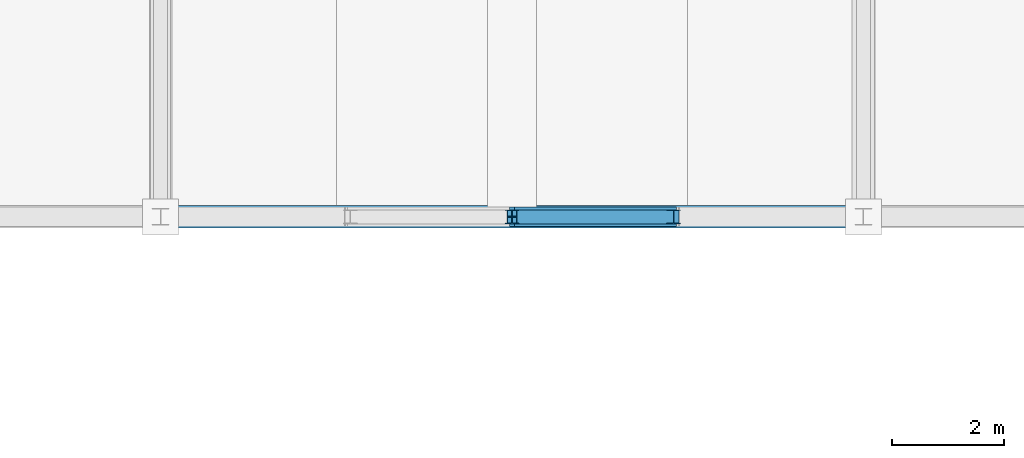
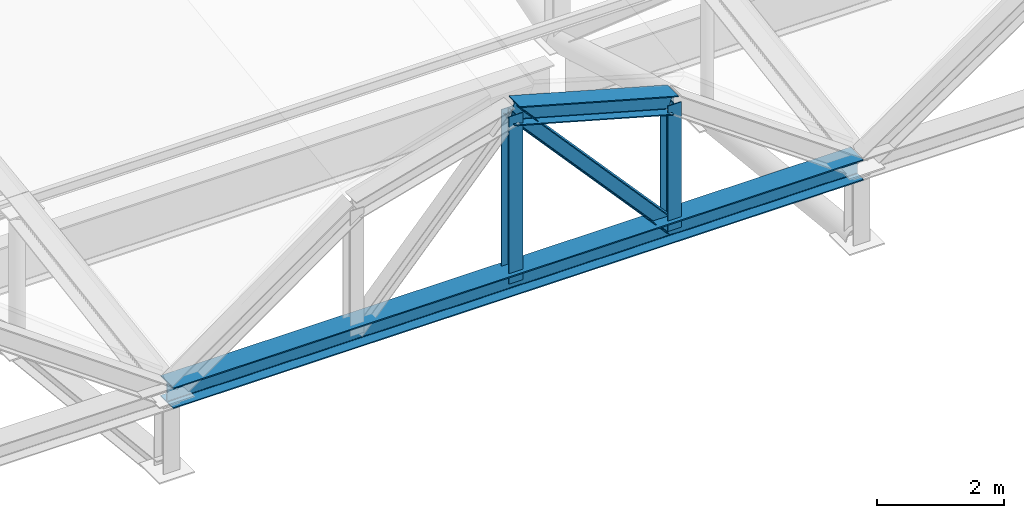
# One storey, part 45 of 117: 5 members.
"""IFC4 building model written with IfcOpenShell, lengths in metres."""

from ifc_helpers import new_model, si_unit, direction, frame, origin, origin_2d, place, context, subcontext, project, spatial, i_section, extrude, material, material_profile, profile_set, type_object, element, save


model = new_model("IFC4")

# Units and contexts
model_context = context("Model", 3, precision=1e-05, world=origin(), true_north=direction((0.0, 1.0)))
body_context = subcontext(model_context, "Body", "Model", "MODEL_VIEW")
ifc_project = project(units=[si_unit("LENGTHUNIT", "METRE"), si_unit("AREAUNIT", "SQUARE_METRE"), si_unit("VOLUMEUNIT", "CUBIC_METRE"), si_unit("PLANEANGLEUNIT", "RADIAN"), si_unit("MASSUNIT", "GRAM", prefix="KILO")], contexts=[model_context])

# Site, building, storey
site_placement = place(None, origin())
site = spatial("IfcSite", under=ifc_project, at=site_placement, CompositionType="ELEMENT")
building_placement = place(site_placement, origin())
building = spatial("IfcBuilding", under=site, at=building_placement, Name="Kazenohara Klinker Stadium", CompositionType="ELEMENT")
storey_placement = place(building_placement, frame((0.0, 0.0, 31.199951171875)))
storey = spatial("IfcBuildingStorey", under=building, at=storey_placement, Name="RF", CompositionType="ELEMENT", Elevation=31.199951171875)

# Members
ifc_material = material(Name="Steel S355", Category="steel")
ifc_material_profile_1 = material_profile(ifc_material, i_section(OverallWidth=0.39990234375, OverallDepth=0.39990234375, WebThickness=0.012939453125, FlangeThickness=0.02099609375, FilletRadius=0.02197265625, at=origin_2d()), Name="H-400x400x13x21")
ifc_profile_set_1 = profile_set([ifc_material_profile_1], Name="Steel S355")
member_type_1 = type_object("IfcMemberType", Name="MEM-CHD01", PredefinedType="CHORD", material=ifc_profile_set_1)
member_1_placement = place(storey_placement, frame((86.5, 122.60009765625, 3.300048828125), z_axis=(1.0, 0.0, 0.0), x_axis=(0.0, 1.0, 0.0)))
element("IfcMember", 1, at=member_1_placement, inside=storey, type_object=member_type_1, Name="Inner tension ring chord TC01 segment 11", PredefinedType="CHORD", context=body_context, shape_type="SweptSolid", body=[
    extrude(i_section(OverallWidth=0.39990234375, OverallDepth=0.39990234375, WebThickness=0.012939453125, FlangeThickness=0.02099609375, FilletRadius=0.02197265625, at=origin_2d()), origin(), (0.0, 0.0, 1.0), 12.5),
])
ifc_material_profile_2 = material_profile(ifc_material, i_section(OverallWidth=0.35009765625, OverallDepth=0.35009765625, WebThickness=0.011962890625, FlangeThickness=0.01904296875, FilletRadius=0.012939453125, at=origin_2d()), Name="H-350x350x12x19")
ifc_profile_set_2 = profile_set([ifc_material_profile_2], Name="Steel S355")
member_type_2 = type_object("IfcMemberType", Name="MEM-CHD02", PredefinedType="CHORD", material=ifc_profile_set_2)
member_2_placement = place(storey_placement, frame((92.75, 122.60009765625, 6.5), z_axis=(0.963393567269, 0.0, -0.268091093745), x_axis=(0.0, 1.0, 0.0)))
element("IfcMember", 2, at=member_2_placement, inside=storey, type_object=member_type_2, Name="Barrel arch top rib TC02 N-03-N5-S3", PredefinedType="CHORD", context=body_context, shape_type="SweptSolid", body=[
    extrude(i_section(OverallWidth=0.35009765625, OverallDepth=0.35009765625, WebThickness=0.011962890625, FlangeThickness=0.01904296875, FilletRadius=0.012939453125, at=origin_2d()), origin(), (0.0, 0.0, 1.0), 2.984130859375),
])
ifc_material_profile_3 = material_profile(ifc_material, i_section(OverallWidth=0.25, OverallDepth=0.25, WebThickness=0.009033203125, FlangeThickness=0.013916015625, FilletRadius=0.012939453125, at=origin_2d()), Name="H-250x250x9x14")
ifc_profile_set_3 = profile_set([ifc_material_profile_3], Name="Steel S355")
member_type_3 = type_object("IfcMemberType", Name="MEM-STR02", PredefinedType="STRUT", material=ifc_profile_set_3)
member_3_placement = place(storey_placement, frame((92.75, 122.60009765625, 3.300048828125), z_axis=(0.0, 0.0, 1.0), x_axis=(1.0, 0.0, 0.0)))
element("IfcMember", 3, at=member_3_placement, inside=storey, type_object=member_type_3, Name="Barrel arch web post TS02 N-03-N5-P2", PredefinedType="STRUT", context=body_context, shape_type="SweptSolid", body=[
    extrude(i_section(OverallWidth=0.25, OverallDepth=0.25, WebThickness=0.009033203125, FlangeThickness=0.013916015625, FilletRadius=0.012939453125, at=origin_2d()), origin(), (0.0, 0.0, 1.0), 3.199951171875),
])
member_4_placement = place(storey_placement, frame((95.625, 122.60009765625, 3.300048828125), z_axis=(0.0, 0.0, 1.0), x_axis=(1.0, 0.0, 0.0)))
element("IfcMember", 4, at=member_4_placement, inside=storey, type_object=member_type_3, Name="Barrel arch web post TS02 N-03-N5-P3", PredefinedType="STRUT", context=body_context, shape_type="SweptSolid", body=[
    extrude(i_section(OverallWidth=0.25, OverallDepth=0.25, WebThickness=0.009033203125, FlangeThickness=0.013916015625, FilletRadius=0.012939453125, at=origin_2d()), origin(), (0.0, 0.0, 1.0), 2.39990234375),
])
member_5_placement = place(storey_placement, frame((95.625, 122.60009765625, 3.300048828125), z_axis=(-0.668327970369, 0.0, 0.74386673808), x_axis=(0.0, -1.0, 0.0)))
element("IfcMember", 5, at=member_5_placement, inside=storey, type_object=member_type_3, Name="Barrel arch web diagonal TS02 N-03-N5-D2", PredefinedType="STRUT", context=body_context, shape_type="SweptSolid", body=[
    extrude(i_section(OverallWidth=0.25, OverallDepth=0.25, WebThickness=0.009033203125, FlangeThickness=0.013916015625, FilletRadius=0.012939453125, at=origin_2d()), origin(), (0.0, 0.0, 1.0), 4.3017578125),
])

save(model, "model.ifc")
